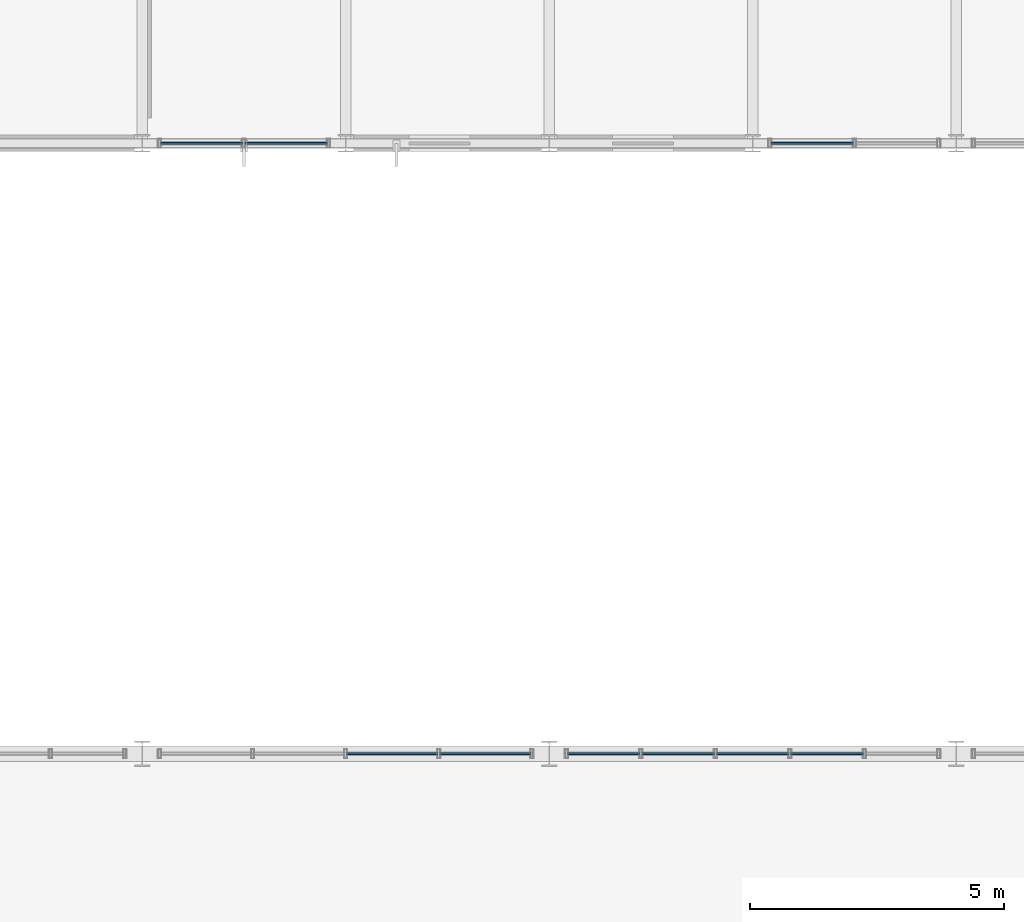
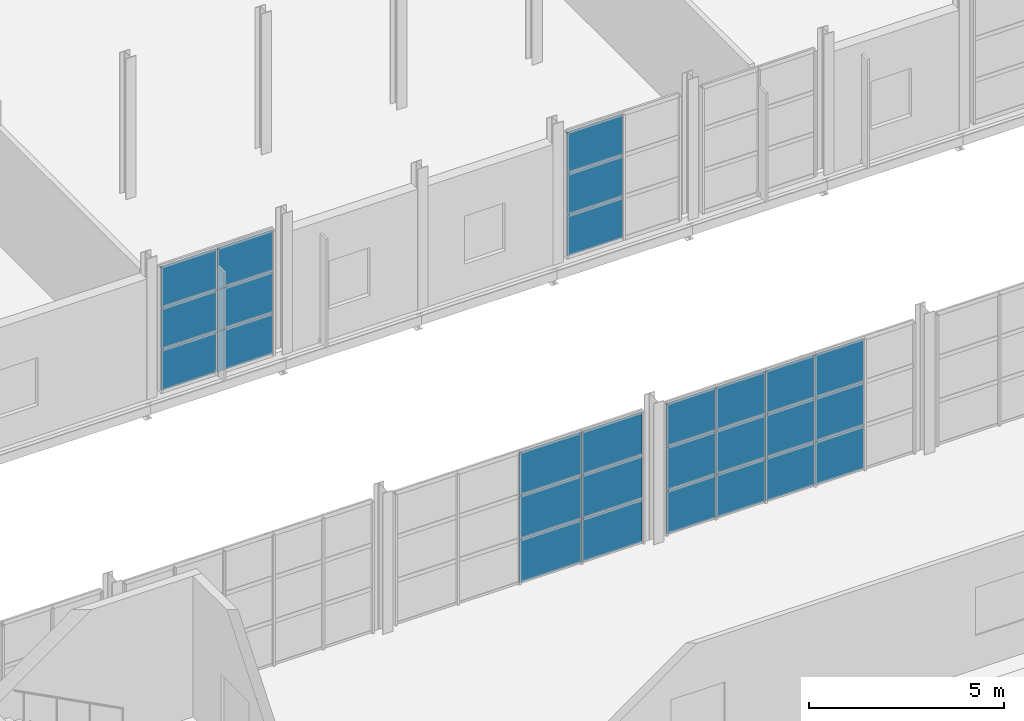
# One storey, part 124 of 153: 27 plates, 4 elements without a shape of their own.
"""IFC4 building model written with IfcOpenShell, lengths in metres."""

from ifc_helpers import new_model, si_unit, derived_unit, direction, frame, origin, origin_2d, place, context, subcontext, project, spatial, rectangle, extrude, material, layer, layer_set, type_object, element, aggregate, save


model = new_model("IFC4")

# Units and contexts
model_context = context("Model", 3, precision=1e-05, world=origin(), true_north=direction((0.0, 1.0)))
body_context = subcontext(model_context, "Body", "Model", "MODEL_VIEW")
ifc_project = project(units=[si_unit("LENGTHUNIT", "METRE"), si_unit("AREAUNIT", "SQUARE_METRE"), si_unit("VOLUMEUNIT", "CUBIC_METRE"), si_unit("PLANEANGLEUNIT", "RADIAN"), si_unit("MASSUNIT", "GRAM", prefix="KILO"), derived_unit("THERMALTRANSMITTANCEUNIT", [(si_unit("POWERUNIT", "WATT"), 1), (si_unit("LENGTHUNIT", "METRE"), -2), (si_unit("THERMODYNAMICTEMPERATUREUNIT", "KELVIN"), -1)])], contexts=[model_context])

# Site, building, storey
site_placement = place(None, origin())
site = spatial("IfcSite", under=ifc_project, at=site_placement, CompositionType="ELEMENT")
building_placement = place(site_placement, origin())
building = spatial("IfcBuilding", under=site, at=building_placement, Name="Keldorne Ridge Multi-Sports Centre", CompositionType="ELEMENT")
storey_placement = place(building_placement, frame((0.0, 0.0, 9.60009765625)))
storey = spatial("IfcBuildingStorey", under=building, at=storey_placement, Name="L02", CompositionType="ELEMENT", Elevation=9.60009765625)

# Curtain wall, plates
ifc_material_1 = material(Name="Anodized aluminium", Category="aluminium")
curtain_wall_type_1 = type_object("IfcCurtainWallType", Name="CW-CW-08", PredefinedType="NOTDEFINED", material=ifc_material_1)
curtain_wall_1_placement = place(storey_placement, origin())
curtain_wall_1 = element("IfcCurtainWall", 1, at=curtain_wall_1_placement, inside=storey, type_object=curtain_wall_type_1, Name="Upper Courts north glazing 104", PredefinedType="NOTDEFINED")
ifc_material_2 = material(Name="Double low-e insulated glazing", Category="glass")
ifc_layer = layer(ifc_material_2, 0.035888671875)
ifc_layer_set = layer_set([ifc_layer])
plate_type = type_object("IfcPlateType", Name="PLT-GL-01", PredefinedType="CURTAIN_PANEL", material=ifc_layer_set)
plate_1_placement = place(storey_placement, frame((126.7451171875, 54.0, 0.019775390625), z_axis=(0.0, 0.0, 1.0), x_axis=(-1.0, 0.0, 0.0)))
plate_1 = element("IfcPlate", 2, at=plate_1_placement, type_object=plate_type, Name="CW-104 glazed panel 1.1", PredefinedType="CURTAIN_PANEL", context=body_context, shape_type="SweptSolid", body=[
    extrude(rectangle(XDim=1.7900390625, YDim=0.035888671875, at=origin_2d()), origin(), (0.0, 0.0, 1.0), 1.32666015625),
])
plate_2_placement = place(storey_placement, frame((126.7451171875, 54.0, 1.386474609375), z_axis=(0.0, 0.0, 1.0), x_axis=(-1.0, 0.0, 0.0)))
plate_2 = element("IfcPlate", 3, at=plate_2_placement, type_object=plate_type, Name="CW-104 glazed panel 1.2", PredefinedType="CURTAIN_PANEL", context=body_context, shape_type="SweptSolid", body=[
    extrude(rectangle(XDim=1.7900390625, YDim=0.035888671875, at=origin_2d()), origin(), (0.0, 0.0, 1.0), 1.32666015625),
])
plate_3_placement = place(storey_placement, frame((126.7451171875, 54.0, 2.753173828125), z_axis=(0.0, 0.0, 1.0), x_axis=(-1.0, 0.0, 0.0)))
plate_3 = element("IfcPlate", 4, at=plate_3_placement, type_object=plate_type, Name="CW-104 glazed panel 1.3", PredefinedType="CURTAIN_PANEL", context=body_context, shape_type="SweptSolid", body=[
    extrude(rectangle(XDim=1.7900390625, YDim=0.035888671875, at=origin_2d()), origin(), (0.0, 0.0, 1.0), 1.32666015625),
])
plate_4_placement = place(storey_placement, frame((124.9150390625, 54.0, 0.019775390625), z_axis=(0.0, 0.0, 1.0), x_axis=(-1.0, 0.0, 0.0)))
plate_4 = element("IfcPlate", 5, at=plate_4_placement, type_object=plate_type, Name="CW-104 glazed panel 2.1", PredefinedType="CURTAIN_PANEL", context=body_context, shape_type="SweptSolid", body=[
    extrude(rectangle(XDim=1.7900390625, YDim=0.035888671875, at=origin_2d()), origin(), (0.0, 0.0, 1.0), 1.32666015625),
])
plate_5_placement = place(storey_placement, frame((124.9150390625, 54.0, 1.386474609375), z_axis=(0.0, 0.0, 1.0), x_axis=(-1.0, 0.0, 0.0)))
plate_5 = element("IfcPlate", 6, at=plate_5_placement, type_object=plate_type, Name="CW-104 glazed panel 2.2", PredefinedType="CURTAIN_PANEL", context=body_context, shape_type="SweptSolid", body=[
    extrude(rectangle(XDim=1.7900390625, YDim=0.035888671875, at=origin_2d()), origin(), (0.0, 0.0, 1.0), 1.32666015625),
])
plate_6_placement = place(storey_placement, frame((124.9150390625, 54.0, 2.753173828125), z_axis=(0.0, 0.0, 1.0), x_axis=(-1.0, 0.0, 0.0)))
plate_6 = element("IfcPlate", 7, at=plate_6_placement, type_object=plate_type, Name="CW-104 glazed panel 2.3", PredefinedType="CURTAIN_PANEL", context=body_context, shape_type="SweptSolid", body=[
    extrude(rectangle(XDim=1.7900390625, YDim=0.035888671875, at=origin_2d()), origin(), (0.0, 0.0, 1.0), 1.32666015625),
])
aggregate(curtain_wall_1, [plate_1, plate_2, plate_3, plate_4, plate_5, plate_6])

curtain_wall_type_2 = type_object("IfcCurtainWallType", Name="CW-CW-07", PredefinedType="NOTDEFINED", material=ifc_material_1)
curtain_wall_2_placement = place(storey_placement, origin())
curtain_wall_2 = element("IfcCurtainWall", 8, at=curtain_wall_2_placement, inside=storey, type_object=curtain_wall_type_2, Name="Upper Courts north glazing 111", PredefinedType="NOTDEFINED")
plate_7_placement = place(storey_placement, frame((133.464111328125, 54.0, 0.019775390625), z_axis=(0.0, 0.0, 1.0), x_axis=(-1.0, 0.0, 0.0)))
plate_7 = element("IfcPlate", 9, at=plate_7_placement, type_object=plate_type, Name="CW-111 glazed panel 2.1", PredefinedType="CURTAIN_PANEL", context=body_context, shape_type="SweptSolid", body=[
    extrude(rectangle(XDim=1.424072265625, YDim=0.035888671875, at=origin_2d()), origin(), (0.0, 0.0, 1.0), 1.32666015625),
])
plate_8_placement = place(storey_placement, frame((133.464111328125, 54.0, 1.386474609375), z_axis=(0.0, 0.0, 1.0), x_axis=(-1.0, 0.0, 0.0)))
plate_8 = element("IfcPlate", 10, at=plate_8_placement, type_object=plate_type, Name="CW-111 glazed panel 2.2", PredefinedType="CURTAIN_PANEL", context=body_context, shape_type="SweptSolid", body=[
    extrude(rectangle(XDim=1.424072265625, YDim=0.035888671875, at=origin_2d()), origin(), (0.0, 0.0, 1.0), 1.32666015625),
])
plate_9_placement = place(storey_placement, frame((133.464111328125, 54.0, 2.753173828125), z_axis=(0.0, 0.0, 1.0), x_axis=(-1.0, 0.0, 0.0)))
plate_9 = element("IfcPlate", 11, at=plate_9_placement, type_object=plate_type, Name="CW-111 glazed panel 2.3", PredefinedType="CURTAIN_PANEL", context=body_context, shape_type="SweptSolid", body=[
    extrude(rectangle(XDim=1.424072265625, YDim=0.035888671875, at=origin_2d()), origin(), (0.0, 0.0, 1.0), 1.32666015625),
])
plate_10_placement = place(storey_placement, frame((132.0, 54.0, 0.019775390625), z_axis=(0.0, 0.0, 1.0), x_axis=(-1.0, 0.0, 0.0)))
plate_10 = element("IfcPlate", 12, at=plate_10_placement, type_object=plate_type, Name="CW-111 glazed panel 3.1", PredefinedType="CURTAIN_PANEL", context=body_context, shape_type="SweptSolid", body=[
    extrude(rectangle(XDim=1.424072265625, YDim=0.035888671875, at=origin_2d()), origin(), (0.0, 0.0, 1.0), 1.32666015625),
])
plate_11_placement = place(storey_placement, frame((132.0, 54.0, 1.386474609375), z_axis=(0.0, 0.0, 1.0), x_axis=(-1.0, 0.0, 0.0)))
plate_11 = element("IfcPlate", 13, at=plate_11_placement, type_object=plate_type, Name="CW-111 glazed panel 3.2", PredefinedType="CURTAIN_PANEL", context=body_context, shape_type="SweptSolid", body=[
    extrude(rectangle(XDim=1.424072265625, YDim=0.035888671875, at=origin_2d()), origin(), (0.0, 0.0, 1.0), 1.32666015625),
])
plate_12_placement = place(storey_placement, frame((132.0, 54.0, 2.753173828125), z_axis=(0.0, 0.0, 1.0), x_axis=(-1.0, 0.0, 0.0)))
plate_12 = element("IfcPlate", 14, at=plate_12_placement, type_object=plate_type, Name="CW-111 glazed panel 3.3", PredefinedType="CURTAIN_PANEL", context=body_context, shape_type="SweptSolid", body=[
    extrude(rectangle(XDim=1.424072265625, YDim=0.035888671875, at=origin_2d()), origin(), (0.0, 0.0, 1.0), 1.32666015625),
])
plate_13_placement = place(storey_placement, frame((130.535888671875, 54.0, 0.019775390625), z_axis=(0.0, 0.0, 1.0), x_axis=(-1.0, 0.0, 0.0)))
plate_13 = element("IfcPlate", 15, at=plate_13_placement, type_object=plate_type, Name="CW-111 glazed panel 4.1", PredefinedType="CURTAIN_PANEL", context=body_context, shape_type="SweptSolid", body=[
    extrude(rectangle(XDim=1.424072265625, YDim=0.035888671875, at=origin_2d()), origin(), (0.0, 0.0, 1.0), 1.32666015625),
])
plate_14_placement = place(storey_placement, frame((130.535888671875, 54.0, 1.386474609375), z_axis=(0.0, 0.0, 1.0), x_axis=(-1.0, 0.0, 0.0)))
plate_14 = element("IfcPlate", 16, at=plate_14_placement, type_object=plate_type, Name="CW-111 glazed panel 4.2", PredefinedType="CURTAIN_PANEL", context=body_context, shape_type="SweptSolid", body=[
    extrude(rectangle(XDim=1.424072265625, YDim=0.035888671875, at=origin_2d()), origin(), (0.0, 0.0, 1.0), 1.32666015625),
])
plate_15_placement = place(storey_placement, frame((130.535888671875, 54.0, 2.753173828125), z_axis=(0.0, 0.0, 1.0), x_axis=(-1.0, 0.0, 0.0)))
plate_15 = element("IfcPlate", 17, at=plate_15_placement, type_object=plate_type, Name="CW-111 glazed panel 4.3", PredefinedType="CURTAIN_PANEL", context=body_context, shape_type="SweptSolid", body=[
    extrude(rectangle(XDim=1.424072265625, YDim=0.035888671875, at=origin_2d()), origin(), (0.0, 0.0, 1.0), 1.32666015625),
])
plate_16_placement = place(storey_placement, frame((129.072021484375, 54.0, 0.019775390625), z_axis=(0.0, 0.0, 1.0), x_axis=(-1.0, 0.0, 0.0)))
plate_16 = element("IfcPlate", 18, at=plate_16_placement, type_object=plate_type, Name="CW-111 glazed panel 5.1", PredefinedType="CURTAIN_PANEL", context=body_context, shape_type="SweptSolid", body=[
    extrude(rectangle(XDim=1.424072265625, YDim=0.035888671875, at=origin_2d()), origin(), (0.0, 0.0, 1.0), 1.32666015625),
])
plate_17_placement = place(storey_placement, frame((129.072021484375, 54.0, 1.386474609375), z_axis=(0.0, 0.0, 1.0), x_axis=(-1.0, 0.0, 0.0)))
plate_17 = element("IfcPlate", 19, at=plate_17_placement, type_object=plate_type, Name="CW-111 glazed panel 5.2", PredefinedType="CURTAIN_PANEL", context=body_context, shape_type="SweptSolid", body=[
    extrude(rectangle(XDim=1.424072265625, YDim=0.035888671875, at=origin_2d()), origin(), (0.0, 0.0, 1.0), 1.32666015625),
])
plate_18_placement = place(storey_placement, frame((129.072021484375, 54.0, 2.753173828125), z_axis=(0.0, 0.0, 1.0), x_axis=(-1.0, 0.0, 0.0)))
plate_18 = element("IfcPlate", 20, at=plate_18_placement, type_object=plate_type, Name="CW-111 glazed panel 5.3", PredefinedType="CURTAIN_PANEL", context=body_context, shape_type="SweptSolid", body=[
    extrude(rectangle(XDim=1.424072265625, YDim=0.035888671875, at=origin_2d()), origin(), (0.0, 0.0, 1.0), 1.32666015625),
])
aggregate(curtain_wall_2, [plate_7, plate_8, plate_9, plate_10, plate_11, plate_12, plate_13, plate_14, plate_15, plate_16, plate_17, plate_18])

curtain_wall_type_3 = type_object("IfcCurtainWallType", Name="CW-CW-03", PredefinedType="NOTDEFINED", material=ifc_material_1)
curtain_wall_3_placement = place(storey_placement, origin())
curtain_wall_3 = element("IfcCurtainWall", 21, at=curtain_wall_3_placement, inside=storey, type_object=curtain_wall_type_3, Name="East Wing L02 south curtain wall 147", PredefinedType="NOTDEFINED")
plate_19_placement = place(storey_placement, frame((121.169921875, 66.0, 0.02001953125), z_axis=(0.0, 0.0, 1.0), x_axis=(1.0, 0.0, 0.0)))
plate_19 = element("IfcPlate", 22, at=plate_19_placement, type_object=plate_type, Name="CW-147 glazed panel 1.1", PredefinedType="CURTAIN_PANEL", context=body_context, shape_type="SweptSolid", body=[
    extrude(rectangle(XDim=1.6201171875, YDim=0.035888671875, at=origin_2d()), origin(), (0.0, 0.0, 1.0), 1.260009765625),
])
plate_20_placement = place(storey_placement, frame((121.169921875, 66.0, 1.31982421875), z_axis=(0.0, 0.0, 1.0), x_axis=(1.0, 0.0, 0.0)))
plate_20 = element("IfcPlate", 23, at=plate_20_placement, type_object=plate_type, Name="CW-147 glazed panel 1.2", PredefinedType="CURTAIN_PANEL", context=body_context, shape_type="SweptSolid", body=[
    extrude(rectangle(XDim=1.6201171875, YDim=0.035888671875, at=origin_2d()), origin(), (0.0, 0.0, 1.0), 1.260009765625),
])
plate_21_placement = place(storey_placement, frame((121.169921875, 66.0, 2.6201171875), z_axis=(0.0, 0.0, 1.0), x_axis=(1.0, 0.0, 0.0)))
plate_21 = element("IfcPlate", 24, at=plate_21_placement, type_object=plate_type, Name="CW-147 glazed panel 1.3", PredefinedType="CURTAIN_PANEL", context=body_context, shape_type="SweptSolid", body=[
    extrude(rectangle(XDim=1.6201171875, YDim=0.035888671875, at=origin_2d()), origin(), (0.0, 0.0, 1.0), 1.260009765625),
])
plate_22_placement = place(storey_placement, frame((122.830078125, 66.0, 0.02001953125), z_axis=(0.0, 0.0, 1.0), x_axis=(1.0, 0.0, 0.0)))
plate_22 = element("IfcPlate", 25, at=plate_22_placement, type_object=plate_type, Name="CW-147 glazed panel 2.1", PredefinedType="CURTAIN_PANEL", context=body_context, shape_type="SweptSolid", body=[
    extrude(rectangle(XDim=1.6201171875, YDim=0.035888671875, at=origin_2d()), origin(), (0.0, 0.0, 1.0), 1.260009765625),
])
plate_23_placement = place(storey_placement, frame((122.830078125, 66.0, 1.31982421875), z_axis=(0.0, 0.0, 1.0), x_axis=(1.0, 0.0, 0.0)))
plate_23 = element("IfcPlate", 26, at=plate_23_placement, type_object=plate_type, Name="CW-147 glazed panel 2.2", PredefinedType="CURTAIN_PANEL", context=body_context, shape_type="SweptSolid", body=[
    extrude(rectangle(XDim=1.6201171875, YDim=0.035888671875, at=origin_2d()), origin(), (0.0, 0.0, 1.0), 1.260009765625),
])
plate_24_placement = place(storey_placement, frame((122.830078125, 66.0, 2.6201171875), z_axis=(0.0, 0.0, 1.0), x_axis=(1.0, 0.0, 0.0)))
plate_24 = element("IfcPlate", 27, at=plate_24_placement, type_object=plate_type, Name="CW-147 glazed panel 2.3", PredefinedType="CURTAIN_PANEL", context=body_context, shape_type="SweptSolid", body=[
    extrude(rectangle(XDim=1.6201171875, YDim=0.035888671875, at=origin_2d()), origin(), (0.0, 0.0, 1.0), 1.260009765625),
])
aggregate(curtain_wall_3, [plate_19, plate_20, plate_21, plate_22, plate_23, plate_24])

curtain_wall_type_4 = type_object("IfcCurtainWallType", Name="CW-CW-04", PredefinedType="NOTDEFINED", material=ifc_material_1)
curtain_wall_4_placement = place(storey_placement, origin())
curtain_wall_4 = element("IfcCurtainWall", 28, at=curtain_wall_4_placement, inside=storey, type_object=curtain_wall_type_4, Name="East Wing L02 south curtain wall 148", PredefinedType="NOTDEFINED")
plate_25_placement = place(storey_placement, frame((133.169921875, 66.0, 0.02001953125), z_axis=(0.0, 0.0, 1.0), x_axis=(1.0, 0.0, 0.0)))
plate_25 = element("IfcPlate", 29, at=plate_25_placement, type_object=plate_type, Name="CW-148 glazed panel 1.1", PredefinedType="CURTAIN_PANEL", context=body_context, shape_type="SweptSolid", body=[
    extrude(rectangle(XDim=1.6201171875, YDim=0.035888671875, at=origin_2d()), origin(), (0.0, 0.0, 1.0), 1.260009765625),
])
plate_26_placement = place(storey_placement, frame((133.169921875, 66.0, 1.31982421875), z_axis=(0.0, 0.0, 1.0), x_axis=(1.0, 0.0, 0.0)))
plate_26 = element("IfcPlate", 30, at=plate_26_placement, type_object=plate_type, Name="CW-148 glazed panel 1.2", PredefinedType="CURTAIN_PANEL", context=body_context, shape_type="SweptSolid", body=[
    extrude(rectangle(XDim=1.6201171875, YDim=0.035888671875, at=origin_2d()), origin(), (0.0, 0.0, 1.0), 1.260009765625),
])
plate_27_placement = place(storey_placement, frame((133.169921875, 66.0, 2.6201171875), z_axis=(0.0, 0.0, 1.0), x_axis=(1.0, 0.0, 0.0)))
plate_27 = element("IfcPlate", 31, at=plate_27_placement, type_object=plate_type, Name="CW-148 glazed panel 1.3", PredefinedType="CURTAIN_PANEL", context=body_context, shape_type="SweptSolid", body=[
    extrude(rectangle(XDim=1.6201171875, YDim=0.035888671875, at=origin_2d()), origin(), (0.0, 0.0, 1.0), 1.260009765625),
])
aggregate(curtain_wall_4, [plate_25, plate_26, plate_27])

save(model, "model.ifc")
